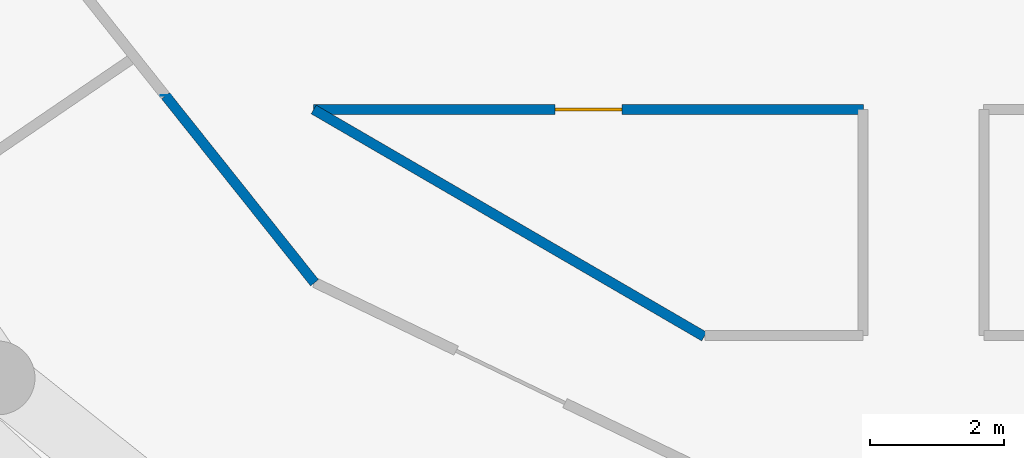
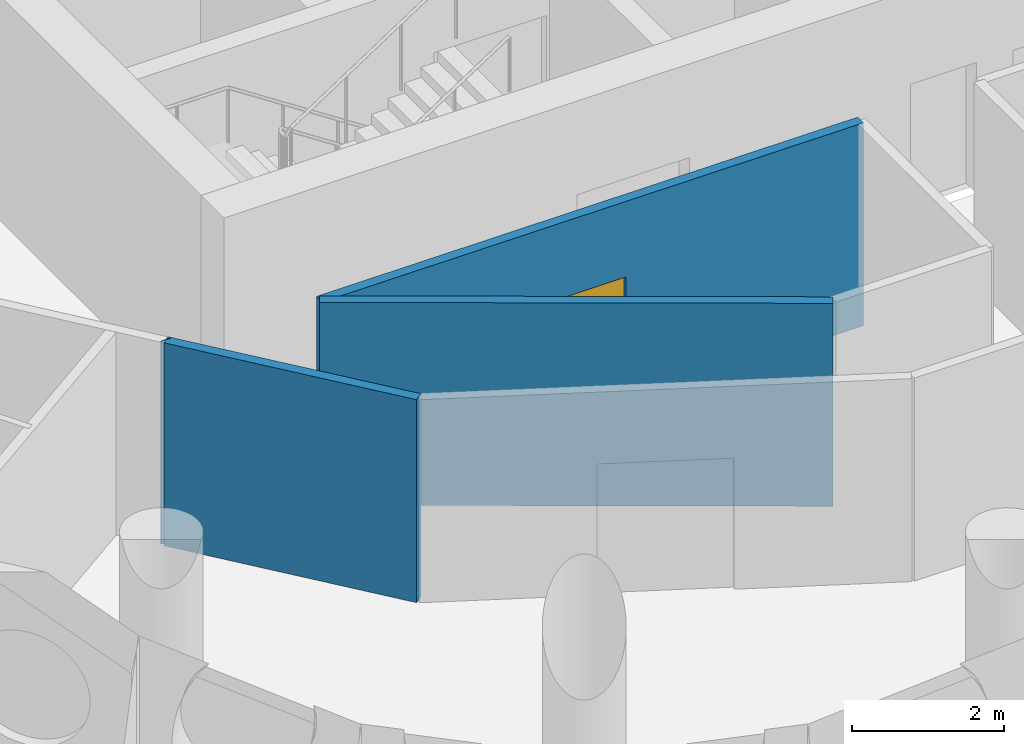
# One storey, part 3 of 12: 4 walls, 1 door, 1 opening.
"""IFC4 building model written with IfcOpenShell, lengths in metres."""

from ifc_helpers import new_model, si_unit, direction, frame, frame_2d, origin, place, context, subcontext, project, spatial, rectangle, extrude, material, layer, layer_set, type_object, element, fill, save


model = new_model("IFC4")

# Units and contexts
model_context = context("Model", 3, precision=1e-05, world=origin(), true_north=direction((0.0, 1.0)))
body_context = subcontext(model_context, "Body", "Model", "MODEL_VIEW")
ifc_project = project(units=[si_unit("LENGTHUNIT", "METRE"), si_unit("AREAUNIT", "SQUARE_METRE"), si_unit("VOLUMEUNIT", "CUBIC_METRE"), si_unit("PLANEANGLEUNIT", "RADIAN"), si_unit("MASSUNIT", "GRAM", prefix="KILO")], contexts=[model_context])

# Site, building, storey
site_placement = place(None, origin())
site = spatial("IfcSite", under=ifc_project, at=site_placement, CompositionType="ELEMENT")
building_placement = place(site_placement, origin())
building = spatial("IfcBuilding", under=site, at=building_placement, Name="Tracery Tower", CompositionType="ELEMENT")
storey_placement = place(building_placement, frame((0.0, 0.0, 234.60009765625)))
storey = spatial("IfcBuildingStorey", under=building, at=storey_placement, Name="L60", CompositionType="ELEMENT", Elevation=234.60009765625)

# Wall, opening, door
ifc_material_1 = material(Name="Plasterboard on steel studs", Category="steel")
ifc_layer = layer(ifc_material_1, 0.14990234375)
ifc_layer_set = layer_set([ifc_layer], Name="Partition 150 corridor wall")
wall_type = type_object("IfcWallType", Name="Partition 150 corridor wall", PredefinedType="PARTITIONING", material=ifc_layer_set)
wall_1_placement = place(storey_placement, frame((-9.092041015625, -8.800048828125, 0.0), z_axis=(0.0, 0.0, 1.0), x_axis=(1.0, 0.0, 0.0)))
wall_1 = element("IfcWall", 1, at=wall_1_placement, inside=storey, type_object=wall_type, Name="Corridor wall RC1-011", PredefinedType="PARTITIONING", context=body_context, shape_type="SweptSolid", body=[
    extrude(rectangle(XDim=8.196044921875, YDim=0.14990234375, at=frame_2d((4.09814453125, 0.0))), origin(), (0.0, 0.0, 1.0), 3.25),
])
opening_placement = place(wall_1_placement, frame((3.597900390625, 0.0, 0.0)))
opening = element("IfcOpeningElement", 2, at=opening_placement, cuts=wall_1, Name="Opening RC1-03", PredefinedType="OPENING", context=body_context, shape_type="SweptSolid", body=[
    extrude(rectangle(XDim=1.0, YDim=2.0400390625, at=frame_2d((0.5, 1.02001953125))), frame((0.0, 0.074951171875, 0.0), z_axis=(0.0, -1.0, 0.0), x_axis=(1.0, 0.0, 0.0)), (0.0, 0.0, 1.0), 0.14990234375),
])
ifc_material_2 = material(Name="Timber door leaf", Category="wood")
door_type = type_object("IfcDoorType", Name="Door communal room 1000", OperationType="NOTDEFINED", PredefinedType="DOOR", material=ifc_material_2)
door_placement = place(opening_placement, origin())
door = element("IfcDoor", 3, at=door_placement, inside=storey, type_object=door_type, Name="Communal room door RC1-03", OperationType="SINGLE_SWING_RIGHT", OverallHeight=2.0400390625, OverallWidth=1.0, PredefinedType="DOOR", context=body_context, shape_type="SweptSolid", body=[
    extrude(rectangle(XDim=1.0, YDim=2.0400390625, at=frame_2d((0.5, 1.02001953125))), frame((0.0, 0.02490234375, 0.0), z_axis=(0.0, -1.0, 0.0), x_axis=(1.0, 0.0, 0.0)), (0.0, 0.0, 1.0), 0.050048828125),
])
fill(opening, door)

# Walls
wall_2_placement = place(storey_placement, frame((-9.092041015625, -8.800048828125, 0.0), z_axis=(0.0, 0.0, 1.0), x_axis=(0.864470922103, -0.502682827277, 0.0)))
element("IfcWall", 4, at=wall_2_placement, inside=storey, type_object=wall_type, Name="Corridor wall RC1-012", PredefinedType="PARTITIONING", context=body_context, shape_type="SweptSolid", body=[
    extrude(rectangle(XDim=6.7353515625, YDim=0.14990234375, at=frame_2d((3.36767578125, 0.0))), origin(), (0.0, 0.0, 1.0), 3.25),
])
wall_3_placement = place(storey_placement, frame((-11.300048828125, -8.59619140625, 0.0), z_axis=(0.0, 0.0, 1.0), x_axis=(0.623165080354, -0.782090328944, 0.0)))
element("IfcWall", 5, at=wall_3_placement, inside=storey, type_object=wall_type, Name="Corridor wall RC1-015", PredefinedType="PARTITIONING", context=body_context, shape_type="SweptSolid", body=[
    extrude(rectangle(XDim=3.56396484375, YDim=0.14990234375, at=frame_2d((1.781982421875, 0.0))), origin(), (0.0, 0.0, 1.0), 3.25),
])
wall_4_placement = place(storey_placement, frame((-11.300048828125, -8.59619140625, 0.0), z_axis=(0.0, 0.0, 1.0), x_axis=(0.0, 1.0, 0.0)))
element("IfcWall", 6, at=wall_4_placement, inside=storey, type_object=wall_type, Name="Corridor wall RC1-017", PredefinedType="PARTITIONING", context=body_context, shape_type="SweptSolid", body=[
    extrude(rectangle(XDim=0.00927734375, YDim=0.14990234375, at=frame_2d((0.004638671875, 0.0))), origin(), (0.0, 0.0, 1.0), 3.25),
])

save(model, "model.ifc")
